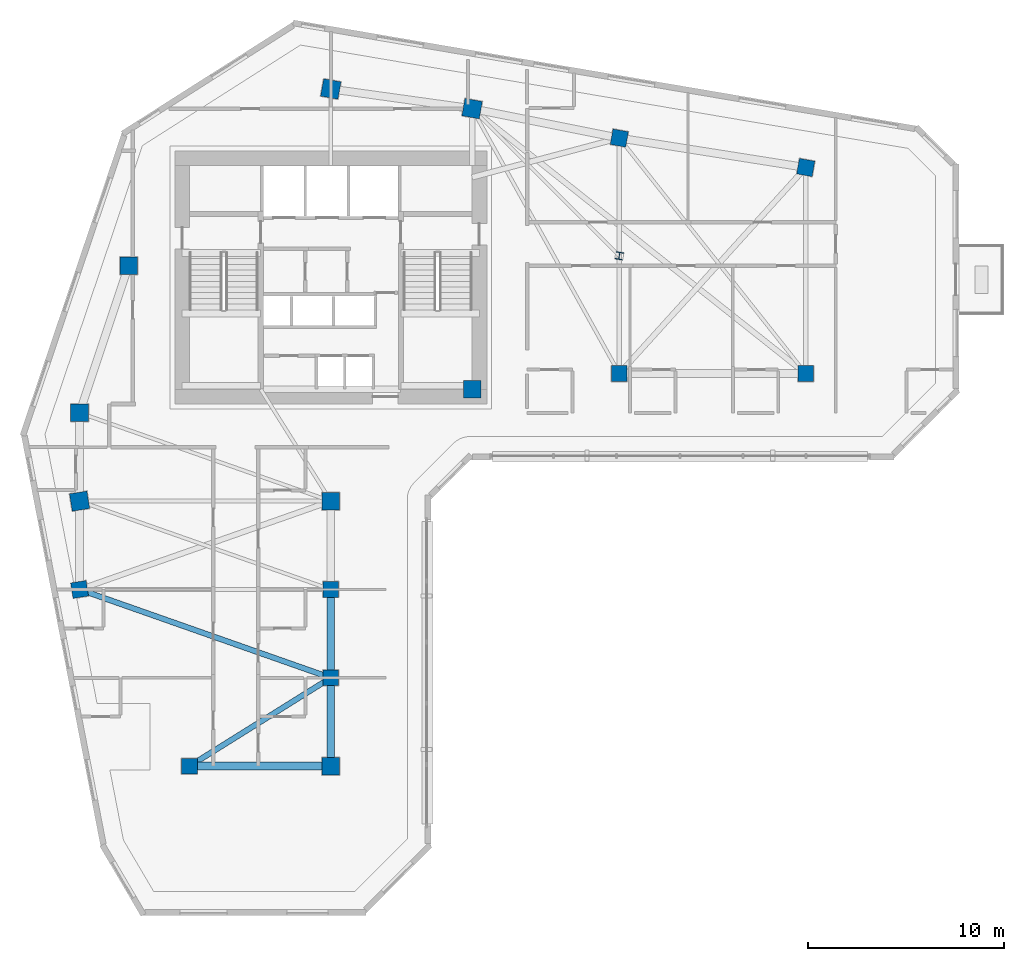
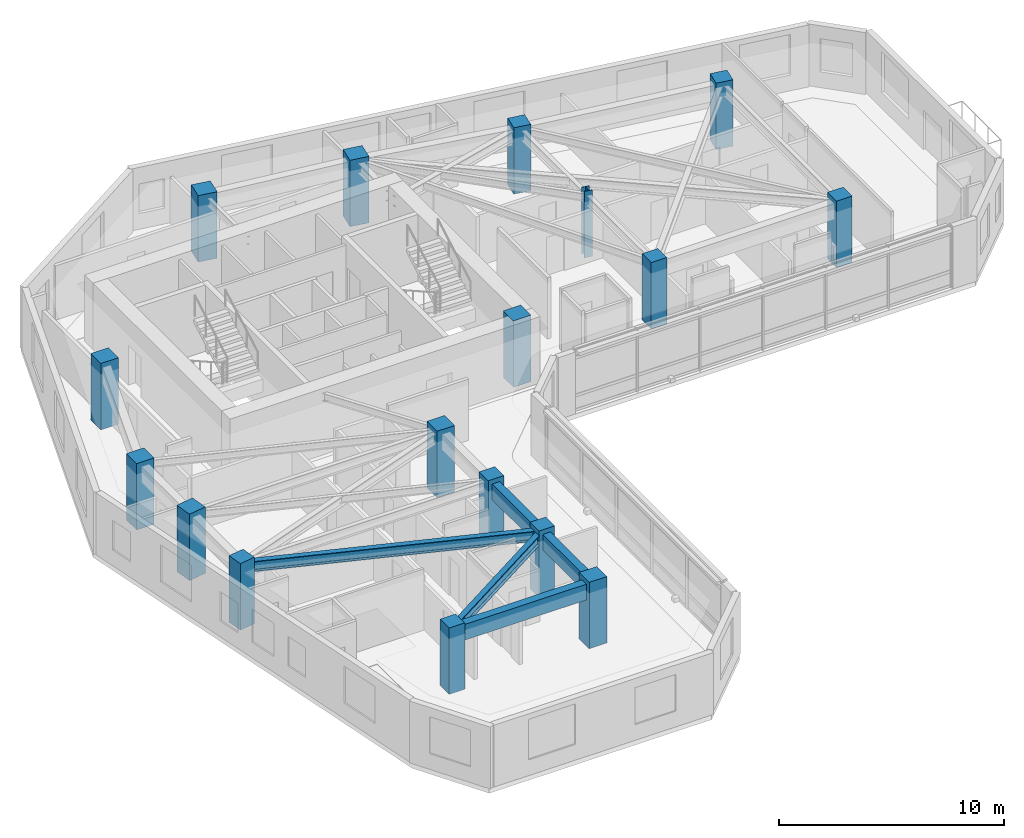
# One storey, part 1 of 14: 17 columns, 5 beams.
"""IFC4 building model written with IfcOpenShell, lengths in metres."""

from ifc_helpers import new_model, si_unit, direction, frame, origin, origin_2d, place, context, subcontext, project, spatial, rectangle, i_section, extrude, source, transform, mapped, material, material_profile, profile_set, type_object, element, save


model = new_model("IFC4")

# Units and contexts
model_context = context("Model", 3, precision=1e-05, world=origin(), true_north=direction((0.0, 1.0)))
body_context = subcontext(model_context, "Body", "Model", "MODEL_VIEW")
ifc_project = project(units=[si_unit("LENGTHUNIT", "METRE"), si_unit("AREAUNIT", "SQUARE_METRE"), si_unit("VOLUMEUNIT", "CUBIC_METRE"), si_unit("PLANEANGLEUNIT", "RADIAN"), si_unit("MASSUNIT", "GRAM", prefix="KILO")], contexts=[model_context])

# Site, building, storey
site_placement = place(None, origin())
site = spatial("IfcSite", under=ifc_project, at=site_placement, CompositionType="ELEMENT")
building_placement = place(site_placement, origin())
building = spatial("IfcBuilding", under=site, at=building_placement, Name="Calvemar Wedge Station Tower", CompositionType="ELEMENT")
storey_placement = place(building_placement, frame((0.0, 0.0, 125.0)))
storey = spatial("IfcBuildingStorey", under=building, at=storey_placement, Name="L30", CompositionType="ELEMENT", Elevation=125.0)

# Columns
ifc_material_1 = material(Name="Concrete C60", Category="concrete")
ifc_material_profile_1 = material_profile(ifc_material_1, rectangle(XDim=0.89990234375, YDim=0.89990234375, at=origin_2d()), Name="RC900x900")
ifc_profile_set_1 = profile_set([ifc_material_profile_1], Name="Concrete C60")
column_type_1 = type_object("IfcColumnType", Name="COL-C5-900", PredefinedType="COLUMN", material=ifc_profile_set_1)
shared_shape_1 = source(origin(), body_context, "Body", "SweptSolid", [
    extrude(rectangle(XDim=0.89990234375, YDim=0.89990234375, at=origin_2d()), origin(), (0.0, 0.0, 1.0), 3.60009765625),
])
for number, where, z_axis, x_axis, name in (
    (1, (11.0, 33.0, 0.0), (0.0, 0.0, 1.0), (1.0, 0.0, 0.0), "Storey L30 Column T-NW1"),
    (2, (13.5, 40.5, 0.0), (0.0, 0.0, 1.0), (1.0, 0.0, 0.0), "Storey L30 Column T-NW2"),
    (3, (23.800048828125, 49.5, 0.0), (0.0, 0.0, 1.0), (0.984195607969, -0.17708474032, 0.0), "Storey L30 Column T-N1"),
    (4, (31.0, 48.5, 0.0), (0.0, 0.0, 1.0), (0.984195607969, -0.17708474032, 0.0), "Storey L30 Column T-N2"),
    (5, (31.0, 34.199951171875, 0.0), (0.0, 0.0, 1.0), (1.0, 0.0, 0.0), "Storey L30 Column T-NL1"),
    (6, (11.0, 28.5, 0.0), (0.0, 0.0, 1.0), (0.158158067254, -0.987413806751, 0.0), "Storey L30 Column T-SW1"),
    (7, (23.800048828125, 28.5, 0.0), (0.0, 0.0, 1.0), (1.0, 0.0, 0.0), "Storey L30 Column T-SE1"),
    (8, (23.800048828125, 15.0, 0.0), (0.0, 0.0, 1.0), (1.0, 0.0, 0.0), "Storey L30 Column T-SE4"),
):
    element("IfcColumn", number, at=place(storey_placement, frame(where, z_axis=z_axis, x_axis=x_axis)), inside=storey, type_object=column_type_1, Name=name, PredefinedType="COLUMN", context=body_context, shape_type="MappedRepresentation", body=[
        mapped(shared_shape_1, transform((0.0, 0.0, 0.0), scale=1.0)),
    ])
ifc_material_2 = material(Name="Concrete C50", Category="concrete")
ifc_material_profile_2 = material_profile(ifc_material_2, rectangle(XDim=0.800048828125, YDim=0.800048828125, at=origin_2d()), Name="RC800x800")
ifc_profile_set_2 = profile_set([ifc_material_profile_2], Name="Concrete C50")
column_type_2 = type_object("IfcColumnType", Name="COL-C6-800", PredefinedType="COLUMN", material=ifc_profile_set_2)
shared_shape_2 = source(origin(), body_context, "Body", "SweptSolid", [
    extrude(rectangle(XDim=0.800048828125, YDim=0.800048828125, at=origin_2d()), origin(), (0.0, 0.0, 1.0), 3.60009765625),
])
for number, where, z_axis, x_axis, name in (
    (9, (38.5, 47.0, 0.0), (0.0, 0.0, 1.0), (0.984195607969, -0.17708474032, 0.0), "Storey L30 Column T-NU3"),
    (10, (48.0, 45.5, 0.0), (0.0, 0.0, 1.0), (0.984195607969, -0.17708474032, 0.0), "Storey L30 Column T-NU4"),
    (11, (38.5, 35.0, 0.0), (0.0, 0.0, 1.0), (1.0, 0.0, 0.0), "Storey L30 Column T-NL2"),
    (12, (48.0, 35.0, 0.0), (0.0, 0.0, 1.0), (1.0, 0.0, 0.0), "Storey L30 Column T-NL3"),
    (13, (11.0, 24.0, 0.0), (0.0, 0.0, 1.0), (0.158158067254, -0.987413806751, 0.0), "Storey L30 Column T-SW2"),
    (14, (23.800048828125, 24.0, 0.0), (0.0, 0.0, 1.0), (1.0, 0.0, 0.0), "Storey L30 Column T-SE2"),
    (15, (23.800048828125, 19.5, 0.0), (0.0, 0.0, 1.0), (1.0, 0.0, 0.0), "Storey L30 Column T-SE3"),
    (16, (16.60009765625, 15.0, 0.0), (0.0, 0.0, 1.0), (1.0, 0.0, 0.0), "Storey L30 Column T-SM1"),
):
    element("IfcColumn", number, at=place(storey_placement, frame(where, z_axis=z_axis, x_axis=x_axis)), inside=storey, type_object=column_type_2, Name=name, PredefinedType="COLUMN", context=body_context, shape_type="MappedRepresentation", body=[
        mapped(shared_shape_2, transform((0.0, 0.0, 0.0), scale=1.0)),
    ])
ifc_material_3 = material(Name="Structural steel ASTM A572 Grade 50", Category="steel")
ifc_material_profile_3 = material_profile(ifc_material_3, i_section(OverallWidth=0.3740234375, OverallDepth=0.3720703125, WebThickness=0.016357421875, FlangeThickness=0.026123046875, FilletRadius=0.014892578125, at=origin_2d()), Name="W360x196")
ifc_profile_set_3 = profile_set([ifc_material_profile_3], Name="Structural steel ASTM A572 Grade 50")
column_type_3 = type_object("IfcColumnType", Name="COL-STL-W360", PredefinedType="COLUMN", material=ifc_profile_set_3)
shared_shape_3 = source(origin(), body_context, "Body", "SweptSolid", [
    extrude(i_section(OverallWidth=0.3740234375, OverallDepth=0.3720703125, WebThickness=0.016357421875, FlangeThickness=0.026123046875, FilletRadius=0.014892578125, at=origin_2d()), origin(), (0.0, 0.0, 1.0), 3.60009765625),
])
column_placement = place(storey_placement, frame((38.5, 41.0, 0.0), z_axis=(0.0, 0.0, 1.0), x_axis=(0.984195607969, -0.17708474032, 0.0)))
element("IfcColumn", 17, at=column_placement, inside=storey, type_object=column_type_3, Name="Storey L30 Column T-NTIP-B", PredefinedType="COLUMN", context=body_context, shape_type="MappedRepresentation", body=[
    mapped(shared_shape_3, transform((0.0, 0.0, 0.0), scale=1.0)),
])

# Beams
ifc_material_profile_4 = material_profile(ifc_material_1, rectangle(XDim=0.39990234375, YDim=0.85009765625, at=origin_2d()), Name="RC400x850")
ifc_profile_set_4 = profile_set([ifc_material_profile_4], Name="Concrete C60")
beam_type_1 = type_object("IfcBeamType", Name="BM-SP1-850", PredefinedType="SPANDREL", material=ifc_profile_set_4)
shared_shape_4 = source(origin(), body_context, "Body", "SweptSolid", [
    extrude(rectangle(XDim=0.39990234375, YDim=0.85009765625, at=origin_2d()), origin(), (0.0, 0.0, 1.0), 4.5),
])
for number, where, z_axis, x_axis, name in (
    (18, (23.800048828125, 24.0, 2.925048828125), (0.0, -1.0, 0.0), (1.0, 0.0, 0.0), "Storey L30 Spandrel T-SE2-T-SE3"),
    (19, (23.800048828125, 19.5, 2.925048828125), (0.0, -1.0, 0.0), (1.0, 0.0, 0.0), "Storey L30 Spandrel T-SE3-T-SE4"),
):
    element("IfcBeam", number, at=place(storey_placement, frame(where, z_axis=z_axis, x_axis=x_axis)), inside=storey, type_object=beam_type_1, Name=name, PredefinedType="SPANDREL", context=body_context, shape_type="MappedRepresentation", body=[
        mapped(shared_shape_4, transform((0.0, 0.0, 0.0), scale=1.0)),
    ])
shared_shape_5 = source(origin(), body_context, "Body", "SweptSolid", [
    extrude(rectangle(XDim=0.39990234375, YDim=0.85009765625, at=origin_2d()), origin(), (0.0, 0.0, 1.0), 7.199951171875),
])
beam_1_placement = place(storey_placement, frame((16.60009765625, 15.0, 2.925048828125), z_axis=(1.0, 0.0, 0.0), x_axis=(0.0, 1.0, 0.0)))
element("IfcBeam", 20, at=beam_1_placement, inside=storey, type_object=beam_type_1, Name="Storey L30 Spandrel T-SM1-T-SE4", PredefinedType="SPANDREL", context=body_context, shape_type="MappedRepresentation", body=[
    mapped(shared_shape_5, transform((0.0, 0.0, 0.0), scale=1.0)),
])
ifc_material_profile_5 = material_profile(ifc_material_3, i_section(OverallWidth=0.279052734375, OverallDepth=0.553955078125, WebThickness=0.017578125, FlangeThickness=0.029541015625, FilletRadius=0.014892578125, at=origin_2d()), Name="W530x196")
ifc_profile_set_5 = profile_set([ifc_material_profile_5], Name="Structural steel ASTM A572 Grade 50")
beam_type_2 = type_object("IfcBeamType", Name="BM-SB3-W530H", PredefinedType="BEAM", material=ifc_profile_set_5)
shared_shape_6 = source(origin(), body_context, "Body", "SweptSolid", [
    extrude(i_section(OverallWidth=0.279052734375, OverallDepth=0.553955078125, WebThickness=0.017578125, FlangeThickness=0.029541015625, FilletRadius=0.014892578125, at=origin_2d()), origin(), (0.0, 0.0, 1.0), 13.568115234375),
])
beam_2_placement = place(storey_placement, frame((11.0, 24.0, 3.072998046875), z_axis=(0.943398221169, -0.331662171939, 0.0), x_axis=(0.331662171939, 0.943398221169, 0.0)))
element("IfcBeam", 21, at=beam_2_placement, inside=storey, type_object=beam_type_2, Name="Storey L30 Floor Beam T-SW2-T-SE3", PredefinedType="BEAM", context=body_context, shape_type="MappedRepresentation", body=[
    mapped(shared_shape_6, transform((0.0, 0.0, 0.0), scale=1.0)),
])
shared_shape_7 = source(origin(), body_context, "Body", "SweptSolid", [
    extrude(i_section(OverallWidth=0.279052734375, OverallDepth=0.553955078125, WebThickness=0.017578125, FlangeThickness=0.029541015625, FilletRadius=0.014892578125, at=origin_2d()), origin(), (0.0, 0.0, 1.0), 8.490478515625),
])
beam_3_placement = place(storey_placement, frame((23.800048828125, 19.5, 3.072998046875), z_axis=(-0.847996688584, -0.530001524668, 0.0), x_axis=(0.530001524668, -0.847996688584, 0.0)))
element("IfcBeam", 22, at=beam_3_placement, inside=storey, type_object=beam_type_2, Name="Storey L30 Floor Beam T-SE3-T-SM1", PredefinedType="BEAM", context=body_context, shape_type="MappedRepresentation", body=[
    mapped(shared_shape_7, transform((0.0, 0.0, 0.0), scale=1.0)),
])

save(model, "model.ifc")
